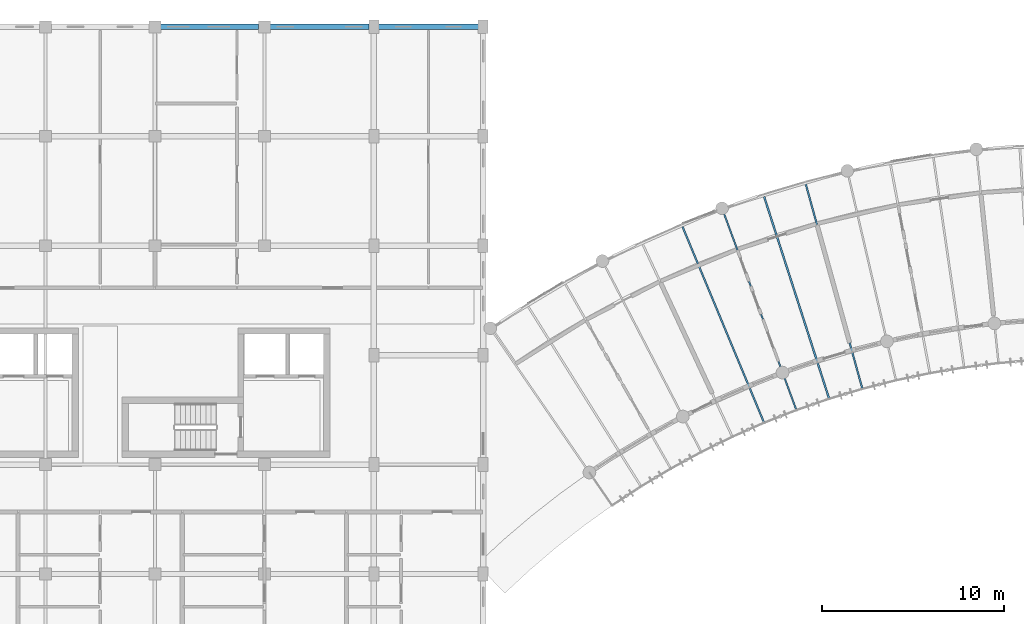
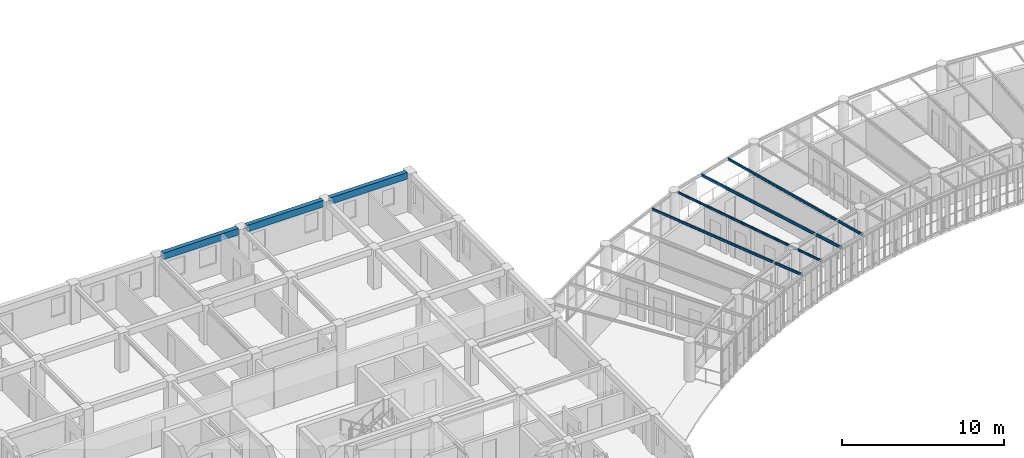
# One storey, part 32 of 100: 7 beams.
"""IFC4 building model written with IfcOpenShell, lengths in metres."""

import ifcopenshell
import ifcopenshell.guid

model = None  # the IFC model being written
_history = None  # IfcOwnerHistory: only IFC2X3 demands one
_inside = {}  # id of a spatial element -> (the spatial element, [elements in it])
_under = {}  # id of a project, library or spatial element -> (it, [spatial elements below it])
_declared = {}  # id of a project -> (the project, [libraries it declares])
_typed = {}  # id of a type object -> (the type object, [elements of that type])
_made_of = {}  # id of a material, layer set ... -> (it, [elements and type objects made of it])


def new_model(schema):
    """Start an empty IFC model of exactly this schema.

    Asked for "IFC4X3", IfcOpenShell would pick the latest addendum, in which some entities
    have other attributes; the version numbers below select the first issue.
    IFC2X3 requires an IfcOwnerHistory on every rooted entity: one is made here for all.
    """
    global model, _history
    if schema == "IFC4X3":
        model = ifcopenshell.file(schema_version=(4, 3, 0, 0))
    else:
        model = ifcopenshell.file(schema=schema)
    _inside.clear()
    _under.clear()
    _declared.clear()
    _typed.clear()
    _made_of.clear()
    _history = None
    if model.schema == "IFC2X3":
        org = make("IfcOrganization", Name="unknown")
        user = make(
            "IfcPersonAndOrganization",
            ThePerson=make("IfcPerson", FamilyName="unknown"),
            TheOrganization=org,
        )
        app = make(
            "IfcApplication",
            ApplicationDeveloper=org,
            Version="unknown",
            ApplicationFullName="unknown",
            ApplicationIdentifier="unknown",
        )
        _history = make(
            "IfcOwnerHistory",
            OwningUser=user,
            OwningApplication=app,
            ChangeAction="ADDED",
            CreationDate=0,
        )
    return model


def make(cls, **values):
    """One entity of the class cls with the attributes given. An attribute that is None is left unset."""
    return model.create_entity(
        cls, **{name: value for name, value in values.items() if value is not None}
    )


def rooted(cls, **values):
    """An entity with a GlobalId (a new one), such as an element, a storey or a relation."""
    return make(cls, GlobalId=ifcopenshell.guid.new(), OwnerHistory=_history, **values)


def si_unit(unit_type, name, prefix=None):
    """IfcSIUnit, for example si_unit("LENGTHUNIT", "METRE", prefix="MILLI")."""
    return make("IfcSIUnit", UnitType=unit_type, Prefix=prefix, Name=name)


def assignment(units):
    """IfcUnitAssignment: the units of a project."""
    return None if units is None else make("IfcUnitAssignment", Units=units)


def point(xyz):
    """IfcCartesianPoint."""
    return None if xyz is None else make("IfcCartesianPoint", Coordinates=xyz)


def direction(xyz):
    """IfcDirection."""
    return None if xyz is None else make("IfcDirection", DirectionRatios=xyz)


def frame(location, z_axis=None, x_axis=None):
    """IfcAxis2Placement3D, a coordinate frame: its origin and axes. An axis left out is left unset."""
    return make(
        "IfcAxis2Placement3D",
        Location=point(location),
        Axis=direction(z_axis),
        RefDirection=direction(x_axis),
    )


def frame_2d(location, x_axis=None):
    """IfcAxis2Placement2D, a coordinate frame in the plane: its origin and x axis."""
    return make(
        "IfcAxis2Placement2D", Location=point(location), RefDirection=direction(x_axis)
    )


def origin():
    """The frame at (0, 0, 0) with its axes left unset."""
    return frame((0.0, 0.0, 0.0))


def origin_2d():
    """The frame at (0, 0) in the plane with its x axis left unset."""
    return frame_2d((0.0, 0.0))


def place(relative_to, where):
    """IfcLocalPlacement: puts the frame where relative to a parent placement (None: the world)."""
    return make(
        "IfcLocalPlacement", PlacementRelTo=relative_to, RelativePlacement=where
    )


def context(
    kind, dimensions, precision=None, world=None, true_north=None, identifier=None
):
    """IfcGeometricRepresentationContext, for example the 3D "Model" context."""
    return make(
        "IfcGeometricRepresentationContext",
        ContextIdentifier=identifier,
        ContextType=kind,
        CoordinateSpaceDimension=dimensions,
        Precision=precision,
        WorldCoordinateSystem=world,
        TrueNorth=true_north,
    )


def subcontext(parent, identifier, kind, view, scale=None):
    """IfcGeometricRepresentationSubContext, for example "Body" below "Model"."""
    return make(
        "IfcGeometricRepresentationSubContext",
        ContextIdentifier=identifier,
        ContextType=kind,
        ParentContext=parent,
        TargetScale=scale,
        TargetView=view,
    )


def project(units=None, contexts=None):
    """IfcProject with its units and contexts."""
    return rooted(
        "IfcProject",
        Name="project",
        RepresentationContexts=contexts,
        UnitsInContext=assignment(units),
    )


def spatial(cls, under=None, at=None, **own):
    """A site, building, storey or space (cls), placed at a placement, below another one or the project."""
    s = rooted(cls, ObjectPlacement=at, **own)
    if under is not None:
        _under.setdefault(under.id(), (under, []))[1].append(s)
    return s


def profile(cls, at=None, kind="AREA", **sizes):
    """A parametric profile (cls). Its sizes go by their IFC names, for example OverallWidth=200.0."""
    return make(cls, ProfileType=kind, Position=at, **sizes)


def rectangle(**sizes):
    """IfcRectangleProfileDef."""
    return profile("IfcRectangleProfileDef", **sizes)


def i_section(**sizes):
    """IfcIShapeProfileDef."""
    return profile("IfcIShapeProfileDef", **sizes)


def extrude(swept, where, along, depth):
    """IfcExtrudedAreaSolid: the profile swept, set in the frame where, extruded along a direction by depth."""
    return make(
        "IfcExtrudedAreaSolid",
        SweptArea=swept,
        Position=where,
        ExtrudedDirection=direction(along),
        Depth=depth,
    )


def shape(context_of_items, identifier, shape_type, items):
    """IfcShapeRepresentation: the items that make up one representation, for example the "Body"."""
    return make(
        "IfcShapeRepresentation",
        ContextOfItems=context_of_items,
        RepresentationIdentifier=identifier,
        RepresentationType=shape_type,
        Items=items,
    )


def material(Name=None, Category=None):
    """IfcMaterial."""
    return make("IfcMaterial", Name=Name, Category=Category)


def material_profile(
    of_material, cross_section, Name=None, Category=None, Priority=None
):
    """IfcMaterialProfile: a cross section and its material."""
    return make(
        "IfcMaterialProfile",
        Name=Name,
        Material=of_material,
        Profile=cross_section,
        Priority=Priority,
        Category=Category,
    )


def profile_set(profiles, Name=None, composite=None):
    """IfcMaterialProfileSet."""
    return make(
        "IfcMaterialProfileSet",
        Name=Name,
        MaterialProfiles=profiles,
        CompositeProfile=composite,
    )


def made_of(thing, what):
    """Note that an element or type object is made of a material, layer set ...; save() writes the relation."""
    if what is not None:
        _made_of.setdefault(what.id(), (what, []))[1].append(thing)
    return thing


def type_object(cls, material=None, **own):
    """A type object (cls), such as IfcWallType, which elements share."""
    return made_of(rooted(cls, **own), material)


def element(
    cls,
    number,
    at=None,
    inside=None,
    cuts=None,
    type_object=None,
    material=None,
    context=None,
    identifier="Body",
    shape_type=None,
    held_by="IfcProductDefinitionShape",
    body=None,
    shapes=None,
    **own,
):
    """One element of the class cls, such as IfcWall. Its Tag is "e" and its number.

    at: its placement. inside: the storey or other place that contains it. cuts: it is an
    opening in that element (IfcRelVoidsElement). A single representation is given by context,
    identifier, shape_type and body (its items); several are given by shapes. held_by: the class
    of the entity that holds the representations. save() writes the other relations.
    """
    e = rooted(cls, Tag="e%d" % number, ObjectPlacement=at, **own)
    if body is not None:
        shapes = [shape(context, identifier, shape_type, body)]
    if shapes is not None:
        e.Representation = make(held_by, Representations=shapes)
    if inside is not None:
        _inside.setdefault(inside.id(), (inside, []))[1].append(e)
    if cuts is not None:
        rooted(
            "IfcRelVoidsElement", RelatingBuildingElement=cuts, RelatedOpeningElement=e
        )
    if type_object is not None:
        _typed.setdefault(type_object.id(), (type_object, []))[1].append(e)
    return made_of(e, material)


def aggregate(whole, parts):
    """IfcRelAggregates: a whole, such as a stair, and the parts it consists of."""
    return rooted("IfcRelAggregates", RelatingObject=whole, RelatedObjects=parts)


def save(model, path):
    """Write the relations noted so far, then the file.

    IfcRelAggregates (storeys below a building ...), IfcRelContainedInSpatialStructure (elements
    in a storey), IfcRelDefinesByType, IfcRelAssociatesMaterial and IfcRelDeclares: one each for
    every whole, place, type object, material and project.
    """
    for whole, parts in _under.values():
        aggregate(whole, parts)
    for where, things in _inside.values():
        rooted(
            "IfcRelContainedInSpatialStructure",
            RelatedElements=things,
            RelatingStructure=where,
        )
    for kind, things in _typed.values():
        rooted("IfcRelDefinesByType", RelatedObjects=things, RelatingType=kind)
    for what, things in _made_of.values():
        rooted("IfcRelAssociatesMaterial", RelatedObjects=things, RelatingMaterial=what)
    for by, libraries in _declared.values():
        rooted("IfcRelDeclares", RelatingContext=by, RelatedDefinitions=libraries)
    model.write(path)


model = new_model("IFC4")

# Units and contexts
model_context = context("Model", 3, precision=1e-05, world=origin(), true_north=direction((0.0, 1.0)))
body_context = subcontext(model_context, "Body", "Model", "MODEL_VIEW")
ifc_project = project(units=[si_unit("LENGTHUNIT", "METRE"), si_unit("AREAUNIT", "SQUARE_METRE"), si_unit("VOLUMEUNIT", "CUBIC_METRE"), si_unit("PLANEANGLEUNIT", "RADIAN"), si_unit("MASSUNIT", "GRAM", prefix="KILO"), si_unit("POWERUNIT", "WATT"), si_unit("THERMODYNAMICTEMPERATUREUNIT", "KELVIN")], contexts=[model_context])

# Site, building, storey
site_placement = place(None, origin())
site = spatial("IfcSite", under=ifc_project, at=site_placement, CompositionType="ELEMENT")
building_placement = place(site_placement, origin())
building = spatial("IfcBuilding", under=site, at=building_placement, Name="Ruvembo Vaulted Housing Court", CompositionType="ELEMENT")
storey_placement = place(building_placement, frame((0.0, 0.0, 10.89990234375)))
storey = spatial("IfcBuildingStorey", under=building, at=storey_placement, Name="L03", CompositionType="ELEMENT", Elevation=10.89990234375)

# Beams
ifc_material_1 = material(Name="Steel S355J2", Category="steel")
ifc_material_profile_1 = material_profile(ifc_material_1, i_section(OverallWidth=0.08203125, OverallDepth=0.159912109375, WebThickness=0.0048828125, FlangeThickness=0.00732421875, FilletRadius=0.009033203125, at=origin_2d()), Name="IPE 160")
ifc_profile_set_1 = profile_set([ifc_material_profile_1], Name="Steel S355J2")
beam_type_1 = type_object("IfcBeamType", Name="BM-ST-IPE160", PredefinedType="JOIST", material=ifc_profile_set_1)
beam_1_placement = place(storey_placement, frame((97.175048828125, 103.835693359375, 2.860107421875), z_axis=(0.345561130095, -0.93839624113, 0.0), x_axis=(0.93839624113, 0.345561130095, 0.0)))
element("IfcBeam", 1, at=beam_1_placement, inside=storey, type_object=beam_type_1, Name="Scoop SC3 L03 Radial Steel Joist 6", PredefinedType="JOIST", context=body_context, shape_type="SweptSolid", body=[
    extrude(i_section(OverallWidth=0.08203125, OverallDepth=0.159912109375, WebThickness=0.0048828125, FlangeThickness=0.00732421875, FilletRadius=0.009033203125, at=origin_2d()), origin(), (0.0, 0.0, 1.0), 11.610107421875),
])
ifc_material_profile_2 = material_profile(ifc_material_1, i_section(OverallWidth=0.091064453125, OverallDepth=0.179931640625, WebThickness=0.00537109375, FlangeThickness=0.008056640625, FilletRadius=0.009033203125, at=origin_2d()), Name="IPE 180")
ifc_profile_set_2 = profile_set([ifc_material_profile_2], Name="Steel S355J2")
beam_type_2 = type_object("IfcBeamType", Name="BM-ST-IPE180", PredefinedType="JOIST", material=ifc_profile_set_2)
beam_2_placement = place(storey_placement, frame((94.927001953125, 103.041259765625, 2.85009765625), z_axis=(0.384209051793, -0.92324612348, 0.0), x_axis=(0.92324612348, 0.384209051793, 0.0)))
element("IfcBeam", 2, at=beam_2_placement, inside=storey, type_object=beam_type_2, Name="Scoop SC3 L03 Radial Steel Joist 5", PredefinedType="JOIST", context=body_context, shape_type="SweptSolid", body=[
    extrude(i_section(OverallWidth=0.091064453125, OverallDepth=0.179931640625, WebThickness=0.00537109375, FlangeThickness=0.008056640625, FilletRadius=0.009033203125, at=origin_2d()), origin(), (0.0, 0.0, 1.0), 11.690673828125),
])
beam_3_placement = place(storey_placement, frame((101.68603515625, 105.3720703125, 2.85009765625), z_axis=(0.266572021247, -0.963815001693, 0.0), x_axis=(0.963815001693, 0.266572021247, 0.0)))
element("IfcBeam", 3, at=beam_3_placement, inside=storey, type_object=beam_type_2, Name="Scoop SC3 L03 Radial Steel Joist 8", PredefinedType="JOIST", context=body_context, shape_type="SweptSolid", body=[
    extrude(i_section(OverallWidth=0.091064453125, OverallDepth=0.179931640625, WebThickness=0.00537109375, FlangeThickness=0.008056640625, FilletRadius=0.009033203125, at=origin_2d()), origin(), (0.0, 0.0, 1.0), 11.69091796875),
])
ifc_material_profile_3 = material_profile(ifc_material_1, i_section(OverallWidth=0.10009765625, OverallDepth=0.199951171875, WebThickness=0.005615234375, FlangeThickness=0.008544921875, FilletRadius=0.011962890625, at=origin_2d()), Name="IPE 200")
ifc_profile_set_3 = profile_set([ifc_material_profile_3], Name="Steel S355J2")
beam_type_3 = type_object("IfcBeamType", Name="BM-ST-IPE200", PredefinedType="BEAM", material=ifc_profile_set_3)
beam_4_placement = place(storey_placement, frame((99.4013671875, 104.68896484375, 2.840087890625), z_axis=(0.306337017889, -0.951923122669, 0.0), x_axis=(0.951923122669, 0.306337017889, 0.0)))
element("IfcBeam", 4, at=beam_4_placement, inside=storey, type_object=beam_type_3, Name="Scoop SC3 L03 Radial Steel Joist 7", PredefinedType="BEAM", context=body_context, shape_type="SweptSolid", body=[
    extrude(i_section(OverallWidth=0.10009765625, OverallDepth=0.199951171875, WebThickness=0.005615234375, FlangeThickness=0.008544921875, FilletRadius=0.011962890625, at=origin_2d()), origin(), (0.0, 0.0, 1.0), 11.690673828125),
])
ifc_material_2 = material(Name="Concrete C35/45", Category="concrete")
ifc_material_profile_4 = material_profile(ifc_material_2, rectangle(XDim=0.300048828125, YDim=0.5, at=origin_2d()), Name="RC 300x500")
ifc_profile_set_4 = profile_set([ifc_material_profile_4], Name="Concrete C35/45")
beam_type_4 = type_object("IfcBeamType", Name="SP-RC-300x500", PredefinedType="SPANDREL", material=ifc_profile_set_4)
beam_5_placement = place(storey_placement, frame((66.31005859375, 114.0, 2.710205078125), z_axis=(1.0, 0.0, 0.0), x_axis=(0.0, 1.0, 0.0)))
element("IfcBeam", 5, at=beam_5_placement, inside=storey, type_object=beam_type_4, Name="L03 Grid Beam X #1854", PredefinedType="SPANDREL", context=body_context, shape_type="SweptSolid", body=[
    extrude(rectangle(XDim=0.300048828125, YDim=0.5, at=origin_2d()), origin(), (0.0, 0.0, 1.0), 5.3798828125),
])
beam_6_placement = place(storey_placement, frame((72.31005859375, 114.0, 2.710205078125), z_axis=(1.0, 0.0, 0.0), x_axis=(0.0, 1.0, 0.0)))
element("IfcBeam", 6, at=beam_6_placement, inside=storey, type_object=beam_type_4, Name="L03 Grid Beam X #1855", PredefinedType="SPANDREL", context=body_context, shape_type="SweptSolid", body=[
    extrude(rectangle(XDim=0.300048828125, YDim=0.5, at=origin_2d()), origin(), (0.0, 0.0, 1.0), 5.429931640625),
])
beam_7_placement = place(storey_placement, frame((78.260009765625, 114.0, 2.710205078125), z_axis=(1.0, 0.0, 0.0), x_axis=(0.0, 1.0, 0.0)))
element("IfcBeam", 7, at=beam_7_placement, inside=storey, type_object=beam_type_4, Name="L03 Grid Beam X #1856", PredefinedType="SPANDREL", context=body_context, shape_type="SweptSolid", body=[
    extrude(rectangle(XDim=0.300048828125, YDim=0.5, at=origin_2d()), origin(), (0.0, 0.0, 1.0), 5.47998046875),
])

save(model, "model.ifc")
